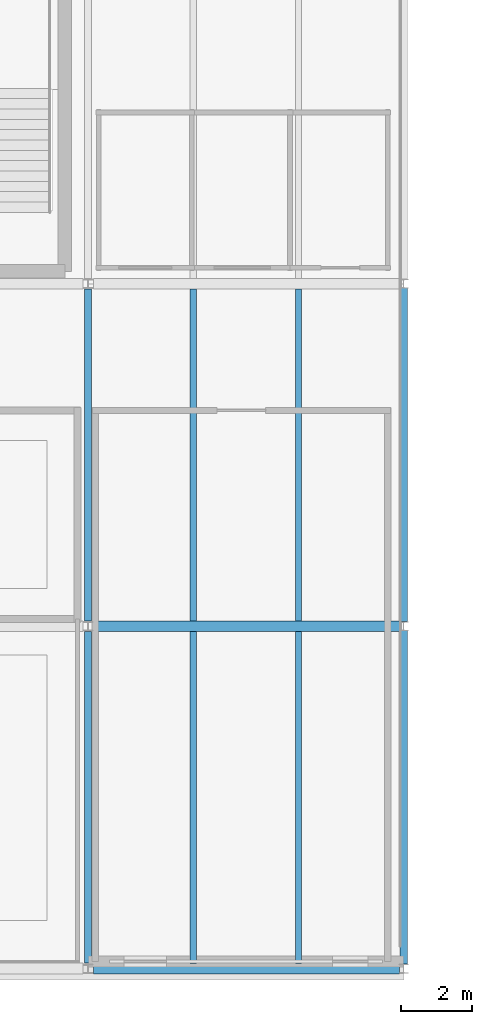
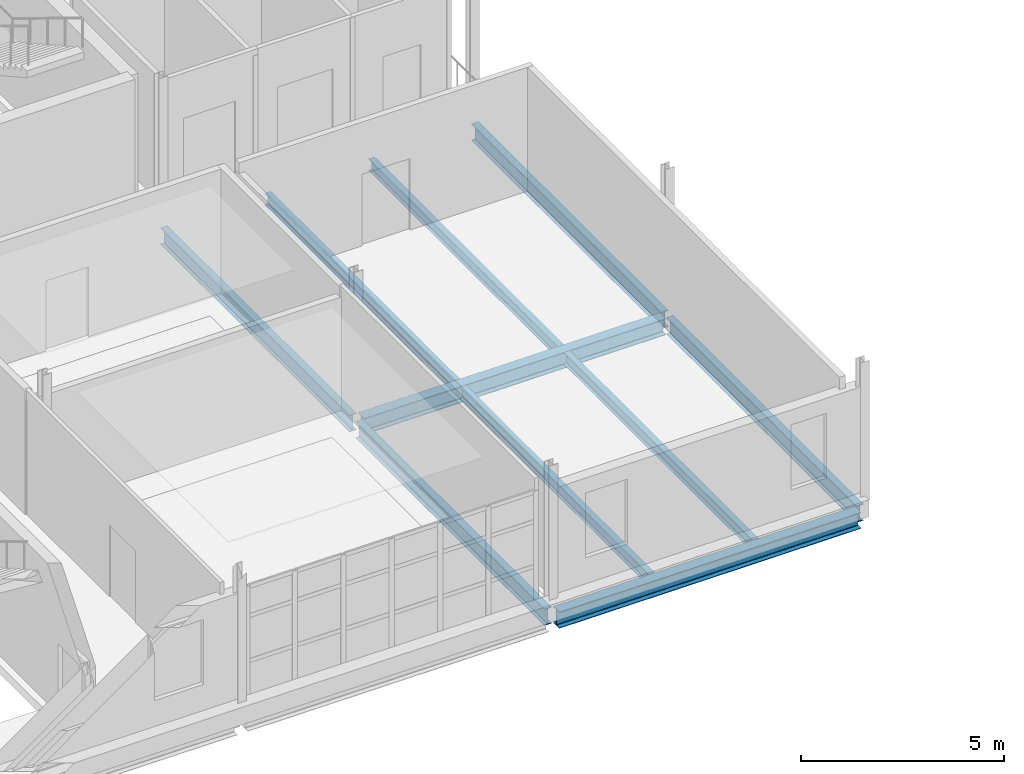
# One storey, part 7 of 28: 10 beams.
"""IFC4 building model written with IfcOpenShell, lengths in metres."""

import ifcopenshell
import ifcopenshell.guid

model = None  # the IFC model being written
_history = None  # IfcOwnerHistory: only IFC2X3 demands one
_inside = {}  # id of a spatial element -> (the spatial element, [elements in it])
_under = {}  # id of a project, library or spatial element -> (it, [spatial elements below it])
_declared = {}  # id of a project -> (the project, [libraries it declares])
_typed = {}  # id of a type object -> (the type object, [elements of that type])
_made_of = {}  # id of a material, layer set ... -> (it, [elements and type objects made of it])


def new_model(schema):
    """Start an empty IFC model of exactly this schema.

    Asked for "IFC4X3", IfcOpenShell would pick the latest addendum, in which some entities
    have other attributes; the version numbers below select the first issue.
    IFC2X3 requires an IfcOwnerHistory on every rooted entity: one is made here for all.
    """
    global model, _history
    if schema == "IFC4X3":
        model = ifcopenshell.file(schema_version=(4, 3, 0, 0))
    else:
        model = ifcopenshell.file(schema=schema)
    _inside.clear()
    _under.clear()
    _declared.clear()
    _typed.clear()
    _made_of.clear()
    _history = None
    if model.schema == "IFC2X3":
        org = make("IfcOrganization", Name="unknown")
        user = make(
            "IfcPersonAndOrganization",
            ThePerson=make("IfcPerson", FamilyName="unknown"),
            TheOrganization=org,
        )
        app = make(
            "IfcApplication",
            ApplicationDeveloper=org,
            Version="unknown",
            ApplicationFullName="unknown",
            ApplicationIdentifier="unknown",
        )
        _history = make(
            "IfcOwnerHistory",
            OwningUser=user,
            OwningApplication=app,
            ChangeAction="ADDED",
            CreationDate=0,
        )
    return model


def make(cls, **values):
    """One entity of the class cls with the attributes given. An attribute that is None is left unset."""
    return model.create_entity(
        cls, **{name: value for name, value in values.items() if value is not None}
    )


def rooted(cls, **values):
    """An entity with a GlobalId (a new one), such as an element, a storey or a relation."""
    return make(cls, GlobalId=ifcopenshell.guid.new(), OwnerHistory=_history, **values)


def si_unit(unit_type, name, prefix=None):
    """IfcSIUnit, for example si_unit("LENGTHUNIT", "METRE", prefix="MILLI")."""
    return make("IfcSIUnit", UnitType=unit_type, Prefix=prefix, Name=name)


def assignment(units):
    """IfcUnitAssignment: the units of a project."""
    return None if units is None else make("IfcUnitAssignment", Units=units)


def point(xyz):
    """IfcCartesianPoint."""
    return None if xyz is None else make("IfcCartesianPoint", Coordinates=xyz)


def direction(xyz):
    """IfcDirection."""
    return None if xyz is None else make("IfcDirection", DirectionRatios=xyz)


def frame(location, z_axis=None, x_axis=None):
    """IfcAxis2Placement3D, a coordinate frame: its origin and axes. An axis left out is left unset."""
    return make(
        "IfcAxis2Placement3D",
        Location=point(location),
        Axis=direction(z_axis),
        RefDirection=direction(x_axis),
    )


def frame_2d(location, x_axis=None):
    """IfcAxis2Placement2D, a coordinate frame in the plane: its origin and x axis."""
    return make(
        "IfcAxis2Placement2D", Location=point(location), RefDirection=direction(x_axis)
    )


def origin():
    """The frame at (0, 0, 0) with its axes left unset."""
    return frame((0.0, 0.0, 0.0))


def origin_2d():
    """The frame at (0, 0) in the plane with its x axis left unset."""
    return frame_2d((0.0, 0.0))


def place(relative_to, where):
    """IfcLocalPlacement: puts the frame where relative to a parent placement (None: the world)."""
    return make(
        "IfcLocalPlacement", PlacementRelTo=relative_to, RelativePlacement=where
    )


def context(
    kind, dimensions, precision=None, world=None, true_north=None, identifier=None
):
    """IfcGeometricRepresentationContext, for example the 3D "Model" context."""
    return make(
        "IfcGeometricRepresentationContext",
        ContextIdentifier=identifier,
        ContextType=kind,
        CoordinateSpaceDimension=dimensions,
        Precision=precision,
        WorldCoordinateSystem=world,
        TrueNorth=true_north,
    )


def subcontext(parent, identifier, kind, view, scale=None):
    """IfcGeometricRepresentationSubContext, for example "Body" below "Model"."""
    return make(
        "IfcGeometricRepresentationSubContext",
        ContextIdentifier=identifier,
        ContextType=kind,
        ParentContext=parent,
        TargetScale=scale,
        TargetView=view,
    )


def project(units=None, contexts=None):
    """IfcProject with its units and contexts."""
    return rooted(
        "IfcProject",
        Name="project",
        RepresentationContexts=contexts,
        UnitsInContext=assignment(units),
    )


def spatial(cls, under=None, at=None, **own):
    """A site, building, storey or space (cls), placed at a placement, below another one or the project."""
    s = rooted(cls, ObjectPlacement=at, **own)
    if under is not None:
        _under.setdefault(under.id(), (under, []))[1].append(s)
    return s


def profile(cls, at=None, kind="AREA", **sizes):
    """A parametric profile (cls). Its sizes go by their IFC names, for example OverallWidth=200.0."""
    return make(cls, ProfileType=kind, Position=at, **sizes)


def i_section(**sizes):
    """IfcIShapeProfileDef."""
    return profile("IfcIShapeProfileDef", **sizes)


def extrude(swept, where, along, depth):
    """IfcExtrudedAreaSolid: the profile swept, set in the frame where, extruded along a direction by depth."""
    return make(
        "IfcExtrudedAreaSolid",
        SweptArea=swept,
        Position=where,
        ExtrudedDirection=direction(along),
        Depth=depth,
    )


def shape(context_of_items, identifier, shape_type, items):
    """IfcShapeRepresentation: the items that make up one representation, for example the "Body"."""
    return make(
        "IfcShapeRepresentation",
        ContextOfItems=context_of_items,
        RepresentationIdentifier=identifier,
        RepresentationType=shape_type,
        Items=items,
    )


def material(Name=None, Category=None):
    """IfcMaterial."""
    return make("IfcMaterial", Name=Name, Category=Category)


def material_profile(
    of_material, cross_section, Name=None, Category=None, Priority=None
):
    """IfcMaterialProfile: a cross section and its material."""
    return make(
        "IfcMaterialProfile",
        Name=Name,
        Material=of_material,
        Profile=cross_section,
        Priority=Priority,
        Category=Category,
    )


def profile_set(profiles, Name=None, composite=None):
    """IfcMaterialProfileSet."""
    return make(
        "IfcMaterialProfileSet",
        Name=Name,
        MaterialProfiles=profiles,
        CompositeProfile=composite,
    )


def made_of(thing, what):
    """Note that an element or type object is made of a material, layer set ...; save() writes the relation."""
    if what is not None:
        _made_of.setdefault(what.id(), (what, []))[1].append(thing)
    return thing


def type_object(cls, material=None, **own):
    """A type object (cls), such as IfcWallType, which elements share."""
    return made_of(rooted(cls, **own), material)


def element(
    cls,
    number,
    at=None,
    inside=None,
    cuts=None,
    type_object=None,
    material=None,
    context=None,
    identifier="Body",
    shape_type=None,
    held_by="IfcProductDefinitionShape",
    body=None,
    shapes=None,
    **own,
):
    """One element of the class cls, such as IfcWall. Its Tag is "e" and its number.

    at: its placement. inside: the storey or other place that contains it. cuts: it is an
    opening in that element (IfcRelVoidsElement). A single representation is given by context,
    identifier, shape_type and body (its items); several are given by shapes. held_by: the class
    of the entity that holds the representations. save() writes the other relations.
    """
    e = rooted(cls, Tag="e%d" % number, ObjectPlacement=at, **own)
    if body is not None:
        shapes = [shape(context, identifier, shape_type, body)]
    if shapes is not None:
        e.Representation = make(held_by, Representations=shapes)
    if inside is not None:
        _inside.setdefault(inside.id(), (inside, []))[1].append(e)
    if cuts is not None:
        rooted(
            "IfcRelVoidsElement", RelatingBuildingElement=cuts, RelatedOpeningElement=e
        )
    if type_object is not None:
        _typed.setdefault(type_object.id(), (type_object, []))[1].append(e)
    return made_of(e, material)


def aggregate(whole, parts):
    """IfcRelAggregates: a whole, such as a stair, and the parts it consists of."""
    return rooted("IfcRelAggregates", RelatingObject=whole, RelatedObjects=parts)


def save(model, path):
    """Write the relations noted so far, then the file.

    IfcRelAggregates (storeys below a building ...), IfcRelContainedInSpatialStructure (elements
    in a storey), IfcRelDefinesByType, IfcRelAssociatesMaterial and IfcRelDeclares: one each for
    every whole, place, type object, material and project.
    """
    for whole, parts in _under.values():
        aggregate(whole, parts)
    for where, things in _inside.values():
        rooted(
            "IfcRelContainedInSpatialStructure",
            RelatedElements=things,
            RelatingStructure=where,
        )
    for kind, things in _typed.values():
        rooted("IfcRelDefinesByType", RelatedObjects=things, RelatingType=kind)
    for what, things in _made_of.values():
        rooted("IfcRelAssociatesMaterial", RelatedObjects=things, RelatingMaterial=what)
    for by, libraries in _declared.values():
        rooted("IfcRelDeclares", RelatingContext=by, RelatedDefinitions=libraries)
    model.write(path)


model = new_model("IFC4")

# Units and contexts
model_context = context("Model", 3, precision=1e-05, world=origin(), true_north=direction((0.0, 1.0)))
body_context = subcontext(model_context, "Body", "Model", "MODEL_VIEW")
ifc_project = project(units=[si_unit("LENGTHUNIT", "METRE"), si_unit("AREAUNIT", "SQUARE_METRE"), si_unit("VOLUMEUNIT", "CUBIC_METRE"), si_unit("PLANEANGLEUNIT", "RADIAN"), si_unit("MASSUNIT", "GRAM", prefix="KILO")], contexts=[model_context])

# Site, building, storey
site_placement = place(None, origin())
site = spatial("IfcSite", under=ifc_project, at=site_placement, CompositionType="ELEMENT")
building_placement = place(site_placement, origin())
building = spatial("IfcBuilding", under=site, at=building_placement, Name="Yeouljin Market Hall", CompositionType="ELEMENT")
storey_placement = place(building_placement, frame((0.0, 0.0, 15.0)))
storey = spatial("IfcBuildingStorey", under=building, at=storey_placement, Name="L03", CompositionType="ELEMENT", Elevation=15.0)

# Beams
ifc_material_1 = material(Name="Steel SM355", Category="steel")
ifc_material_profile_1 = material_profile(ifc_material_1, i_section(OverallWidth=0.199951171875, OverallDepth=0.5, WebThickness=0.010009765625, FlangeThickness=0.01611328125, FilletRadius=0.02001953125, at=origin_2d()), Name="H-500x200x10x16")
ifc_profile_set_1 = profile_set([ifc_material_profile_1], Name="Steel SM355")
beam_type_1 = type_object("IfcBeamType", Name="Beam_H-500x200x10x16", PredefinedType="BEAM", material=ifc_profile_set_1)
for number, where, z_axis, x_axis, name in (
    (1, (17.699951171875, 0.14990234375, -0.514892578125), (0.0, 1.0, 0.0), (-1.0, 0.0, 0.0), "Primary beam BM-L03-Y054"),
    (2, (17.699951171875, 9.75, -0.514892578125), (0.0, 1.0, 0.0), (-1.0, 0.0, 0.0), "Primary beam BM-L03-Y055"),
):
    element("IfcBeam", number, at=place(storey_placement, frame(where, z_axis=z_axis, x_axis=x_axis)), inside=storey, type_object=beam_type_1, Name=name, PredefinedType="BEAM", context=body_context, shape_type="SweptSolid", body=[
        extrude(i_section(OverallWidth=0.199951171875, OverallDepth=0.5, WebThickness=0.010009765625, FlangeThickness=0.01611328125, FilletRadius=0.02001953125, at=origin_2d()), origin(), (0.0, 0.0, 1.0), 9.300048828125),
    ])
beam_1_placement = place(storey_placement, frame((26.550048828125, 0.125, -0.5048828125), z_axis=(0.0, 1.0, 0.0), x_axis=(-1.0, 0.0, 0.0)))
element("IfcBeam", 3, at=beam_1_placement, inside=storey, type_object=beam_type_1, Name="Primary beam BM-L03-Y059", PredefinedType="BEAM", context=body_context, shape_type="SweptSolid", body=[
    extrude(i_section(OverallWidth=0.199951171875, OverallDepth=0.5, WebThickness=0.010009765625, FlangeThickness=0.01611328125, FilletRadius=0.02001953125, at=origin_2d()), origin(), (0.0, 0.0, 1.0), 9.35009765625),
])
beam_2_placement = place(storey_placement, frame((26.550048828125, 9.72509765625, -0.5048828125), z_axis=(0.0, 1.0, 0.0), x_axis=(-1.0, 0.0, 0.0)))
element("IfcBeam", 4, at=beam_2_placement, inside=storey, type_object=beam_type_1, Name="Primary beam BM-L03-Y060", PredefinedType="BEAM", context=body_context, shape_type="SweptSolid", body=[
    extrude(i_section(OverallWidth=0.199951171875, OverallDepth=0.5, WebThickness=0.010009765625, FlangeThickness=0.01611328125, FilletRadius=0.02001953125, at=origin_2d()), origin(), (0.0, 0.0, 1.0), 9.349853515625),
])
ifc_material_2 = material(Name="Steel SM355", Category="steel")
ifc_material_profile_2 = material_profile(ifc_material_2, i_section(OverallWidth=0.300048828125, OverallDepth=0.488037109375, WebThickness=0.010986328125, FlangeThickness=0.01806640625, FilletRadius=0.02197265625, at=origin_2d()), Name="H-488x300x11x18")
ifc_profile_set_2 = profile_set([ifc_material_profile_2], Name="Steel SM355")
beam_type_2 = type_object("IfcBeamType", Name="Girder_H-488x300x11x18", PredefinedType="USERDEFINED", material=ifc_profile_set_2)
for number, where, z_axis, x_axis, name in (
    (5, (17.85009765625, 0.0, -0.509033203125), (1.0, 0.0, 0.0), (0.0, 1.0, 0.0), "Primary girder GRD-L03-X003"),
    (6, (17.85009765625, 9.60009765625, -0.509033203125), (1.0, 0.0, 0.0), (0.0, 1.0, 0.0), "Primary girder GRD-L03-X009"),
):
    element("IfcBeam", number, at=place(storey_placement, frame(where, z_axis=z_axis, x_axis=x_axis)), inside=storey, type_object=beam_type_2, Name=name, ObjectType="GIRDER", PredefinedType="USERDEFINED", context=body_context, shape_type="SweptSolid", body=[
        extrude(i_section(OverallWidth=0.300048828125, OverallDepth=0.488037109375, WebThickness=0.010986328125, FlangeThickness=0.01806640625, FilletRadius=0.02197265625, at=origin_2d()), origin(), (0.0, 0.0, 1.0), 8.574951171875),
    ])
ifc_material_3 = material(Name="Steel SM355", Category="steel")
ifc_material_profile_3 = material_profile(ifc_material_3, i_section(OverallWidth=0.175048828125, OverallDepth=0.35009765625, WebThickness=0.007080078125, FlangeThickness=0.010986328125, FilletRadius=0.013916015625, at=origin_2d()), Name="H-350x175x7x11")
ifc_profile_set_3 = profile_set([ifc_material_profile_3], Name="Steel SM355")
beam_type_3 = type_object("IfcBeamType", Name="Joist_H-350x175x7x11", PredefinedType="JOIST", material=ifc_profile_set_3)
for number, where, z_axis, x_axis, name in (
    (7, (20.64990234375, 0.14697265625, -0.43994140625), (0.0, 1.0, 0.0), (-1.0, 0.0, 0.0), "Secondary floor joist L03-014"),
    (8, (23.60009765625, 0.14697265625, -0.43994140625), (0.0, 1.0, 0.0), (-1.0, 0.0, 0.0), "Secondary floor joist L03-015"),
    (9, (20.64990234375, 9.7470703125, -0.43994140625), (0.0, 1.0, 0.0), (-1.0, 0.0, 0.0), "Secondary floor joist L03-016"),
    (10, (23.60009765625, 9.7470703125, -0.43994140625), (0.0, 1.0, 0.0), (-1.0, 0.0, 0.0), "Secondary floor joist L03-017"),
):
    element("IfcBeam", number, at=place(storey_placement, frame(where, z_axis=z_axis, x_axis=x_axis)), inside=storey, type_object=beam_type_3, Name=name, PredefinedType="JOIST", context=body_context, shape_type="SweptSolid", body=[
        extrude(i_section(OverallWidth=0.175048828125, OverallDepth=0.35009765625, WebThickness=0.007080078125, FlangeThickness=0.010986328125, FilletRadius=0.013916015625, at=origin_2d()), origin(), (0.0, 0.0, 1.0), 9.305908203125),
    ])

save(model, "model.ifc")
